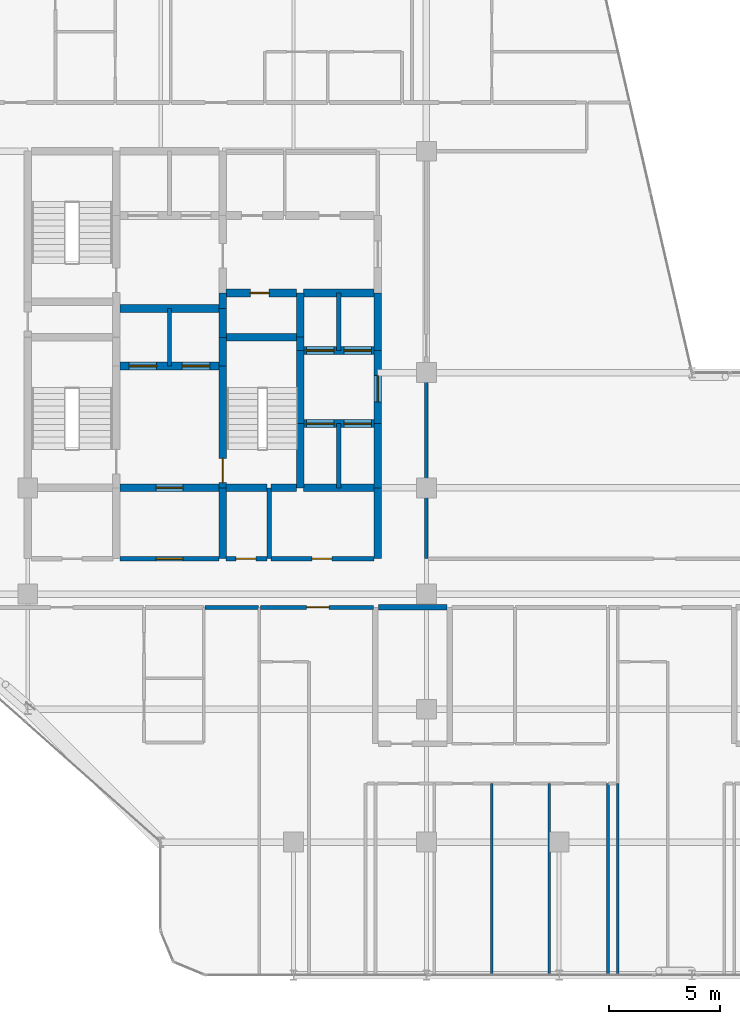
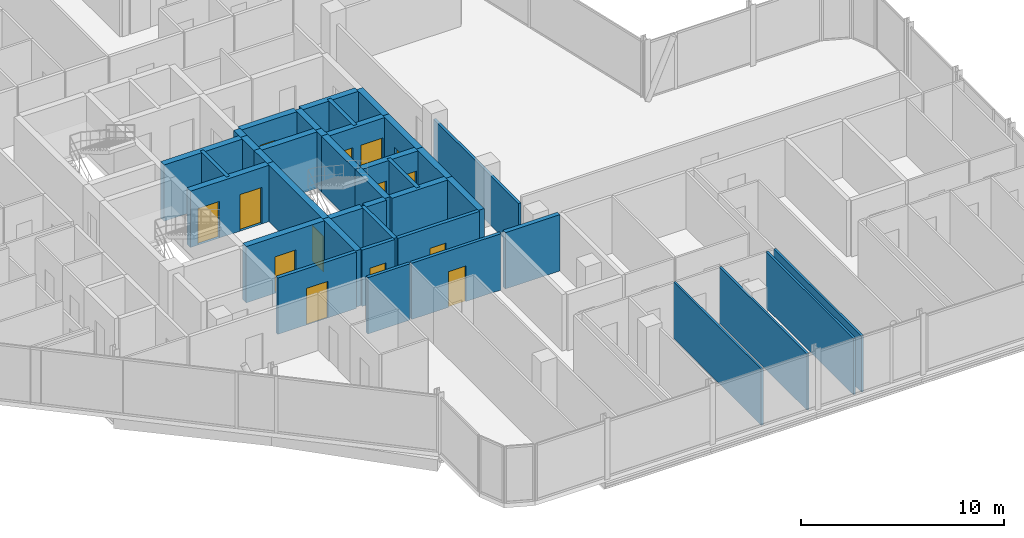
# One storey, part 25 of 29: 39 walls, 14 doors, 14 openings.
"""IFC4 building model written with IfcOpenShell, lengths in metres."""

from ifc_helpers import new_model, si_unit, direction, frame, frame_2d, origin, place, context, subcontext, project, spatial, rectangle, extrude, material, layer, layer_set, type_object, element, fill, save


model = new_model("IFC4")

# Units and contexts
model_context = context("Model", 3, precision=1e-05, world=origin(), true_north=direction((0.0, 1.0)))
body_context = subcontext(model_context, "Body", "Model", "MODEL_VIEW")
ifc_project = project(units=[si_unit("LENGTHUNIT", "METRE"), si_unit("AREAUNIT", "SQUARE_METRE"), si_unit("VOLUMEUNIT", "CUBIC_METRE"), si_unit("PLANEANGLEUNIT", "RADIAN"), si_unit("MASSUNIT", "GRAM", prefix="KILO")], contexts=[model_context])

# Site, building, storey
site_placement = place(None, origin())
site = spatial("IfcSite", under=ifc_project, at=site_placement, CompositionType="ELEMENT")
building_placement = place(site_placement, origin())
building = spatial("IfcBuilding", under=site, at=building_placement, Name="Keshet Zoharim Tower", CompositionType="ELEMENT")
storey_placement = place(building_placement, frame((0.0, 0.0, 169.10009765625)))
storey = spatial("IfcBuildingStorey", under=building, at=storey_placement, Name="L41", CompositionType="ELEMENT", Elevation=169.10009765625)

# Walls
ifc_material_1 = material(Name="Gypsum Plasterboard", Category="gypsum")
ifc_layer_1 = layer(ifc_material_1, 0.14990234375)
ifc_layer_set_1 = layer_set([ifc_layer_1], Name="Gypsum Plasterboard")
wall_type_1 = type_object("IfcWallType", Name="WL-CLIN-150", PredefinedType="STANDARD", material=ifc_layer_set_1)
wall_1_placement = place(storey_placement, frame((33.0, 19.510009765625, 0.0), z_axis=(0.0, 0.0, 1.0), x_axis=(0.0, 1.0, 0.0)))
element("IfcWall", 1, at=wall_1_placement, inside=storey, type_object=wall_type_1, Name="L41 Interior Wall 068", PredefinedType="STANDARD", context=body_context, shape_type="SweptSolid", body=[
    extrude(rectangle(XDim=8.389892578125, YDim=0.14990234375, at=frame_2d((4.19482421875, 0.0))), origin(), (0.0, 0.0, 1.0), 2.989990234375),
])
ifc_material_2 = material(Name="Concrete C60/75", Category="concrete")
ifc_layer_2 = layer(ifc_material_2, 0.35009765625)
ifc_layer_set_2 = layer_set([ifc_layer_2], Name="Concrete C60/75")
wall_type_2 = type_object("IfcWallType", Name="WL-CORE-350", PredefinedType="SHEAR", material=ifc_layer_set_2)
wall_2_placement = place(storey_placement, frame((23.800048828125, 19.5, 0.0), z_axis=(0.0, 0.0, 1.0), x_axis=(0.0, 1.0, 0.0)))
element("IfcWall", 2, at=wall_2_placement, inside=storey, type_object=wall_type_2, Name="L41 Core Shear Wall 033", PredefinedType="SHEAR", context=body_context, shape_type="SweptSolid", body=[
    extrude(rectangle(XDim=3.199951171875, YDim=0.35009765625, at=frame_2d((1.60009765625, 0.0))), origin(), (0.0, 0.0, 1.0), 3.389892578125),
])

# Wall, opening, door
wall_3_placement = place(storey_placement, frame((23.800048828125, 22.699951171875, 0.0), z_axis=(0.0, 0.0, 1.0), x_axis=(0.0, 1.0, 0.0)))
wall_3 = element("IfcWall", 3, at=wall_3_placement, inside=storey, type_object=wall_type_2, Name="L41 Core Shear Wall 034", PredefinedType="SHEAR", context=body_context, shape_type="SweptSolid", body=[
    extrude(rectangle(XDim=5.5, YDim=0.35009765625, at=frame_2d((2.75, 0.0))), origin(), (0.0, 0.0, 1.0), 3.389892578125),
])
opening_1_placement = place(wall_3_placement, frame((0.235107421875, 0.0, 0.0)))
opening_1 = element("IfcOpeningElement", 4, at=opening_1_placement, cuts=wall_3, Name="Opening D-F611", PredefinedType="OPENING", context=body_context, shape_type="SweptSolid", body=[
    extrude(rectangle(XDim=1.10009765625, YDim=2.14990234375, at=frame_2d((0.550048828125, 1.074951171875))), frame((0.0, 0.18505859375, 0.0), z_axis=(0.0, -1.0, 0.0), x_axis=(1.0, 0.0, 0.0)), (0.0, 0.0, 1.0), 0.3701171875),
])
ifc_material_3 = material(Name="Hardwood Timber", Category="wood")
door_type_1 = type_object("IfcDoorType", Name="DR-FD60-110", OperationType="NOTDEFINED", PredefinedType="DOOR", material=ifc_material_3)
door_1_placement = place(opening_1_placement, frame((1.10009765625, 0.0, 0.0), z_axis=(0.0, 0.0, 1.0), x_axis=(-1.0, 0.0, 0.0)))
door_1 = element("IfcDoor", 5, at=door_1_placement, inside=storey, type_object=door_type_1, Name="L41 Exit Stair ST-03 Fire Door", OperationType="SINGLE_SWING_LEFT", OverallHeight=2.14990234375, OverallWidth=1.10009765625, PredefinedType="DOOR", context=body_context, shape_type="SweptSolid", body=[
    extrude(rectangle(XDim=1.10009765625, YDim=2.14990234375, at=frame_2d((0.550048828125, 1.074951171875))), frame((0.0, 0.02490234375, 0.0), z_axis=(0.0, -1.0, 0.0), x_axis=(1.0, 0.0, 0.0)), (0.0, 0.0, 1.0), 0.050048828125),
])
fill(opening_1, door_1)

# Walls
for number, where, z_axis, x_axis, name in (
    (6, (23.800048828125, 28.199951171875, 0.0), (0.0, 0.0, 1.0), (0.0, 1.0, 0.0), "L41 Core Shear Wall 035"),
    (7, (23.800048828125, 29.5, 0.0), (0.0, 0.0, 1.0), (0.0, 1.0, 0.0), "L41 Core Shear Wall 036"),
):
    element("IfcWall", number, at=place(storey_placement, frame(where, z_axis=z_axis, x_axis=x_axis)), inside=storey, type_object=wall_type_2, Name=name, PredefinedType="SHEAR", context=body_context, shape_type="SweptSolid", body=[
        extrude(rectangle(XDim=1.300048828125, YDim=0.35009765625, at=frame_2d((0.64990234375, 0.0))), origin(), (0.0, 0.0, 1.0), 3.389892578125),
    ])
wall_4_placement = place(storey_placement, frame((23.800048828125, 30.800048828125, 0.0), z_axis=(0.0, 0.0, 1.0), x_axis=(0.0, 1.0, 0.0)))
element("IfcWall", 8, at=wall_4_placement, inside=storey, type_object=wall_type_2, Name="L41 Core Shear Wall 037", PredefinedType="SHEAR", context=body_context, shape_type="SweptSolid", body=[
    extrude(rectangle(XDim=0.699951171875, YDim=0.35009765625, at=frame_2d((0.35009765625, 0.0))), origin(), (0.0, 0.0, 1.0), 3.389892578125),
])
wall_5_placement = place(storey_placement, frame((27.300048828125, 22.699951171875, 0.0), z_axis=(0.0, 0.0, 1.0), x_axis=(0.0, 1.0, 0.0)))
element("IfcWall", 9, at=wall_5_placement, inside=storey, type_object=wall_type_2, Name="L41 Core Shear Wall 047", PredefinedType="SHEAR", context=body_context, shape_type="SweptSolid", body=[
    extrude(rectangle(XDim=2.900146484375, YDim=0.35009765625, at=frame_2d((1.4501953125, 0.0))), origin(), (0.0, 0.0, 1.0), 3.389892578125),
])
wall_6_placement = place(storey_placement, frame((27.300048828125, 25.60009765625, 0.0), z_axis=(0.0, 0.0, 1.0), x_axis=(0.0, 1.0, 0.0)))
element("IfcWall", 10, at=wall_6_placement, inside=storey, type_object=wall_type_2, Name="L41 Core Shear Wall 048", PredefinedType="SHEAR", context=body_context, shape_type="SweptSolid", body=[
    extrude(rectangle(XDim=3.2998046875, YDim=0.35009765625, at=frame_2d((1.64990234375, 0.0))), origin(), (0.0, 0.0, 1.0), 3.389892578125),
])
wall_7_placement = place(storey_placement, frame((27.300048828125, 28.89990234375, 0.0), z_axis=(0.0, 0.0, 1.0), x_axis=(0.0, 1.0, 0.0)))
element("IfcWall", 11, at=wall_7_placement, inside=storey, type_object=wall_type_2, Name="L41 Core Shear Wall 049", PredefinedType="SHEAR", context=body_context, shape_type="SweptSolid", body=[
    extrude(rectangle(XDim=0.60009765625, YDim=0.35009765625, at=frame_2d((0.300048828125, 0.0))), origin(), (0.0, 0.0, 1.0), 3.389892578125),
])
wall_8_placement = place(storey_placement, frame((27.300048828125, 29.5, 0.0), z_axis=(0.0, 0.0, 1.0), x_axis=(0.0, 1.0, 0.0)))
element("IfcWall", 12, at=wall_8_placement, inside=storey, type_object=wall_type_2, Name="L41 Core Shear Wall 050", PredefinedType="SHEAR", context=body_context, shape_type="SweptSolid", body=[
    extrude(rectangle(XDim=2.0, YDim=0.35009765625, at=frame_2d((1.0, 0.0))), origin(), (0.0, 0.0, 1.0), 3.389892578125),
])
wall_9_placement = place(storey_placement, frame((30.800048828125, 19.5, 0.0), z_axis=(0.0, 0.0, 1.0), x_axis=(0.0, 1.0, 0.0)))
element("IfcWall", 13, at=wall_9_placement, inside=storey, type_object=wall_type_2, Name="L41 Core Shear Wall 059", PredefinedType="SHEAR", context=body_context, shape_type="SweptSolid", body=[
    extrude(rectangle(XDim=3.199951171875, YDim=0.35009765625, at=frame_2d((1.60009765625, 0.0))), origin(), (0.0, 0.0, 1.0), 3.389892578125),
])
wall_10_placement = place(storey_placement, frame((30.800048828125, 22.699951171875, 0.0), z_axis=(0.0, 0.0, 1.0), x_axis=(0.0, 1.0, 0.0)))
element("IfcWall", 14, at=wall_10_placement, inside=storey, type_object=wall_type_2, Name="L41 Core Shear Wall 060", PredefinedType="SHEAR", context=body_context, shape_type="SweptSolid", body=[
    extrude(rectangle(XDim=2.900146484375, YDim=0.35009765625, at=frame_2d((1.4501953125, 0.0))), origin(), (0.0, 0.0, 1.0), 3.389892578125),
])

# Wall, opening, door
wall_11_placement = place(storey_placement, frame((30.800048828125, 25.60009765625, 0.0), z_axis=(0.0, 0.0, 1.0), x_axis=(0.0, 1.0, 0.0)))
wall_11 = element("IfcWall", 15, at=wall_11_placement, inside=storey, type_object=wall_type_2, Name="L41 Core Shear Wall 061", PredefinedType="SHEAR", context=body_context, shape_type="SweptSolid", body=[
    extrude(rectangle(XDim=3.2998046875, YDim=0.35009765625, at=frame_2d((1.64990234375, 0.0))), origin(), (0.0, 0.0, 1.0), 3.389892578125),
])
opening_2_placement = place(wall_11_placement, frame((0.97802734375, 0.0, 0.0)))
opening_2 = element("IfcOpeningElement", 16, at=opening_2_placement, cuts=wall_11, Name="Opening D-F612", PredefinedType="OPENING", context=body_context, shape_type="SweptSolid", body=[
    extrude(rectangle(XDim=1.199951171875, YDim=2.199951171875, at=frame_2d((0.60009765625, 1.10009765625))), frame((0.0, 0.18505859375, 0.0), z_axis=(0.0, -1.0, 0.0), x_axis=(1.0, 0.0, 0.0)), (0.0, 0.0, 1.0), 0.3701171875),
])
door_type_2 = type_object("IfcDoorType", Name="DR-FD60-120", OperationType="NOTDEFINED", PredefinedType="DOOR", material=ifc_material_3)
door_2_placement = place(opening_2_placement, origin())
door_2 = element("IfcDoor", 17, at=door_2_placement, inside=storey, type_object=door_type_2, Name="L41 East Lift Lobby Fire Door", OperationType="SINGLE_SWING_LEFT", OverallHeight=2.199951171875, OverallWidth=1.199951171875, PredefinedType="DOOR", context=body_context, shape_type="SweptSolid", body=[
    extrude(rectangle(XDim=1.199951171875, YDim=2.199951171875, at=frame_2d((0.60009765625, 1.10009765625))), frame((0.0, 0.02490234375, 0.0), z_axis=(0.0, -1.0, 0.0), x_axis=(1.0, 0.0, 0.0)), (0.0, 0.0, 1.0), 0.050048828125),
])
fill(opening_2, door_2)

# Wall
wall_12_placement = place(storey_placement, frame((30.800048828125, 28.89990234375, 0.0), z_axis=(0.0, 0.0, 1.0), x_axis=(0.0, 1.0, 0.0)))
element("IfcWall", 18, at=wall_12_placement, inside=storey, type_object=wall_type_2, Name="L41 Core Shear Wall 062", PredefinedType="SHEAR", context=body_context, shape_type="SweptSolid", body=[
    extrude(rectangle(XDim=2.60009765625, YDim=0.35009765625, at=frame_2d((1.300048828125, 0.0))), origin(), (0.0, 0.0, 1.0), 3.389892578125),
])

# Wall, opening, door
wall_13_placement = place(storey_placement, frame((19.159912109375, 22.699951171875, 0.0), z_axis=(0.0, 0.0, 1.0), x_axis=(1.0, 0.0, 0.0)))
wall_13 = element("IfcWall", 19, at=wall_13_placement, inside=storey, type_object=wall_type_2, Name="L41 Core Shear Wall 132", PredefinedType="SHEAR", context=body_context, shape_type="SweptSolid", body=[
    extrude(rectangle(XDim=4.47998046875, YDim=0.35009765625, at=frame_2d((2.239990234375, 0.0))), origin(), (0.0, 0.0, 1.0), 3.389892578125),
])
opening_3_placement = place(wall_13_placement, frame((1.639892578125, 0.0, 0.0)))
opening_3 = element("IfcOpeningElement", 20, at=opening_3_placement, cuts=wall_13, Name="Opening D-F612", PredefinedType="OPENING", context=body_context, shape_type="SweptSolid", body=[
    extrude(rectangle(XDim=1.199951171875, YDim=2.199951171875, at=frame_2d((0.60009765625, 1.10009765625))), frame((0.0, 0.18505859375, 0.0), z_axis=(0.0, -1.0, 0.0), x_axis=(1.0, 0.0, 0.0)), (0.0, 0.0, 1.0), 0.3701171875),
])
door_3_placement = place(opening_3_placement, origin())
door_3 = element("IfcDoor", 21, at=door_3_placement, inside=storey, type_object=door_type_2, Name="L41 South Core Lobby Fire Door", OperationType="SINGLE_SWING_RIGHT", OverallHeight=2.199951171875, OverallWidth=1.199951171875, PredefinedType="DOOR", context=body_context, shape_type="SweptSolid", body=[
    extrude(rectangle(XDim=1.199951171875, YDim=2.199951171875, at=frame_2d((0.60009765625, 1.10009765625))), frame((0.0, 0.02490234375, 0.0), z_axis=(0.0, -1.0, 0.0), x_axis=(1.0, 0.0, 0.0)), (0.0, 0.0, 1.0), 0.050048828125),
])
fill(opening_3, door_3)

# Walls
wall_14_placement = place(storey_placement, frame((23.9599609375, 22.699951171875, 0.0), z_axis=(0.0, 0.0, 1.0), x_axis=(1.0, 0.0, 0.0)))
element("IfcWall", 22, at=wall_14_placement, inside=storey, type_object=wall_type_2, Name="L41 Core Shear Wall 133", PredefinedType="SHEAR", context=body_context, shape_type="SweptSolid", body=[
    extrude(rectangle(XDim=1.85498046875, YDim=0.35009765625, at=frame_2d((0.927490234375, 0.0))), origin(), (0.0, 0.0, 1.0), 3.389892578125),
])
wall_15_placement = place(storey_placement, frame((25.985107421875, 22.699951171875, 0.0), z_axis=(0.0, 0.0, 1.0), x_axis=(1.0, 0.0, 0.0)))
element("IfcWall", 23, at=wall_15_placement, inside=storey, type_object=wall_type_2, Name="L41 Core Shear Wall 134", PredefinedType="SHEAR", context=body_context, shape_type="SweptSolid", body=[
    extrude(rectangle(XDim=1.15478515625, YDim=0.35009765625, at=frame_2d((0.577392578125, 0.0))), origin(), (0.0, 0.0, 1.0), 3.389892578125),
])
wall_16_placement = place(storey_placement, frame((27.4599609375, 22.699951171875, 0.0), z_axis=(0.0, 0.0, 1.0), x_axis=(1.0, 0.0, 0.0)))
element("IfcWall", 24, at=wall_16_placement, inside=storey, type_object=wall_type_2, Name="L41 Core Shear Wall 135", PredefinedType="SHEAR", context=body_context, shape_type="SweptSolid", body=[
    extrude(rectangle(XDim=3.179931640625, YDim=0.35009765625, at=frame_2d((1.58984375, 0.0))), origin(), (0.0, 0.0, 1.0), 3.389892578125),
])

# Wall, openings, doors
wall_17_placement = place(storey_placement, frame((27.4599609375, 25.60009765625, 0.0), z_axis=(0.0, 0.0, 1.0), x_axis=(1.0, 0.0, 0.0)))
wall_17 = element("IfcWall", 25, at=wall_17_placement, inside=storey, type_object=wall_type_2, Name="L41 Core Shear Wall 138", PredefinedType="SHEAR", context=body_context, shape_type="SweptSolid", body=[
    extrude(rectangle(XDim=3.179931640625, YDim=0.35009765625, at=frame_2d((1.58984375, 0.0))), origin(), (0.0, 0.0, 1.0), 3.389892578125),
])
opening_4_placement = place(wall_17_placement, frame((0.1201171875, 0.0, 0.0)))
opening_4 = element("IfcOpeningElement", 26, at=opening_4_placement, cuts=wall_17, Name="Opening LD-01", PredefinedType="OPENING", context=body_context, shape_type="SweptSolid", body=[
    extrude(rectangle(XDim=1.25, YDim=2.199951171875, at=frame_2d((0.625, 1.10009765625))), frame((0.0, 0.18505859375, 0.0), z_axis=(0.0, -1.0, 0.0), x_axis=(1.0, 0.0, 0.0)), (0.0, 0.0, 1.0), 0.3701171875),
])
opening_5_placement = place(wall_17_placement, frame((1.81005859375, 0.0, 0.0)))
opening_5 = element("IfcOpeningElement", 27, at=opening_5_placement, cuts=wall_17, Name="Opening LD-01", PredefinedType="OPENING", context=body_context, shape_type="SweptSolid", body=[
    extrude(rectangle(XDim=1.25, YDim=2.199951171875, at=frame_2d((0.625, 1.10009765625))), frame((0.0, 0.18505859375, 0.0), z_axis=(0.0, -1.0, 0.0), x_axis=(1.0, 0.0, 0.0)), (0.0, 0.0, 1.0), 0.3701171875),
])
ifc_material_4 = material(Name="Steel S355", Category="steel")
door_type_3 = type_object("IfcDoorType", Name="DR-LD01-125", OperationType="DOUBLE_DOOR_SLIDING", PredefinedType="DOOR", material=ifc_material_4)
door_4_placement = place(opening_4_placement, origin())
door_4 = element("IfcDoor", 28, at=door_4_placement, inside=storey, type_object=door_type_3, Name="L41 Passenger Lift Landing Door LF-07", OperationType="DOUBLE_DOOR_SLIDING", OverallHeight=2.199951171875, OverallWidth=1.25, PredefinedType="DOOR", context=body_context, shape_type="SweptSolid", body=[
    extrude(rectangle(XDim=1.25, YDim=2.199951171875, at=frame_2d((0.625, 1.10009765625))), frame((0.0, 0.02490234375, 0.0), z_axis=(0.0, -1.0, 0.0), x_axis=(1.0, 0.0, 0.0)), (0.0, 0.0, 1.0), 0.050048828125),
])
fill(opening_4, door_4)
door_5_placement = place(opening_5_placement, origin())
door_5 = element("IfcDoor", 29, at=door_5_placement, inside=storey, type_object=door_type_3, Name="L41 Passenger Lift Landing Door LF-08", OperationType="DOUBLE_DOOR_SLIDING", OverallHeight=2.199951171875, OverallWidth=1.25, PredefinedType="DOOR", context=body_context, shape_type="SweptSolid", body=[
    extrude(rectangle(XDim=1.25, YDim=2.199951171875, at=frame_2d((0.625, 1.10009765625))), frame((0.0, 0.02490234375, 0.0), z_axis=(0.0, -1.0, 0.0), x_axis=(1.0, 0.0, 0.0)), (0.0, 0.0, 1.0), 0.050048828125),
])
fill(opening_5, door_5)

wall_18_placement = place(storey_placement, frame((19.159912109375, 28.199951171875, 0.0), z_axis=(0.0, 0.0, 1.0), x_axis=(1.0, 0.0, 0.0)))
wall_18 = element("IfcWall", 30, at=wall_18_placement, inside=storey, type_object=wall_type_2, Name="L41 Core Shear Wall 141", PredefinedType="SHEAR", context=body_context, shape_type="SweptSolid", body=[
    extrude(rectangle(XDim=4.47998046875, YDim=0.35009765625, at=frame_2d((2.239990234375, 0.0))), origin(), (0.0, 0.0, 1.0), 3.389892578125),
])
opening_6_placement = place(wall_18_placement, frame((0.4150390625, 0.0, 0.0)))
opening_6 = element("IfcOpeningElement", 31, at=opening_6_placement, cuts=wall_18, Name="Opening LD-01", PredefinedType="OPENING", context=body_context, shape_type="SweptSolid", body=[
    extrude(rectangle(XDim=1.25, YDim=2.199951171875, at=frame_2d((0.625, 1.10009765625))), frame((0.0, 0.18505859375, 0.0), z_axis=(0.0, -1.0, 0.0), x_axis=(1.0, 0.0, 0.0)), (0.0, 0.0, 1.0), 0.3701171875),
])
opening_7_placement = place(wall_18_placement, frame((2.81494140625, 0.0, 0.0)))
opening_7 = element("IfcOpeningElement", 32, at=opening_7_placement, cuts=wall_18, Name="Opening LD-01", PredefinedType="OPENING", context=body_context, shape_type="SweptSolid", body=[
    extrude(rectangle(XDim=1.25, YDim=2.199951171875, at=frame_2d((0.625, 1.10009765625))), frame((0.0, 0.18505859375, 0.0), z_axis=(0.0, -1.0, 0.0), x_axis=(1.0, 0.0, 0.0)), (0.0, 0.0, 1.0), 0.3701171875),
])
door_6_placement = place(opening_6_placement, origin())
door_6 = element("IfcDoor", 33, at=door_6_placement, inside=storey, type_object=door_type_3, Name="L41 Passenger Lift Landing Door LF-09", OperationType="DOUBLE_DOOR_SLIDING", OverallHeight=2.199951171875, OverallWidth=1.25, PredefinedType="DOOR", context=body_context, shape_type="SweptSolid", body=[
    extrude(rectangle(XDim=1.25, YDim=2.199951171875, at=frame_2d((0.625, 1.10009765625))), frame((0.0, 0.02490234375, 0.0), z_axis=(0.0, -1.0, 0.0), x_axis=(1.0, 0.0, 0.0)), (0.0, 0.0, 1.0), 0.050048828125),
])
fill(opening_6, door_6)
door_7_placement = place(opening_7_placement, origin())
door_7 = element("IfcDoor", 34, at=door_7_placement, inside=storey, type_object=door_type_3, Name="L41 Passenger Lift Landing Door LF-10", OperationType="DOUBLE_DOOR_SLIDING", OverallHeight=2.199951171875, OverallWidth=1.25, PredefinedType="DOOR", context=body_context, shape_type="SweptSolid", body=[
    extrude(rectangle(XDim=1.25, YDim=2.199951171875, at=frame_2d((0.625, 1.10009765625))), frame((0.0, 0.02490234375, 0.0), z_axis=(0.0, -1.0, 0.0), x_axis=(1.0, 0.0, 0.0)), (0.0, 0.0, 1.0), 0.050048828125),
])
fill(opening_7, door_7)

wall_19_placement = place(storey_placement, frame((27.4599609375, 28.89990234375, 0.0), z_axis=(0.0, 0.0, 1.0), x_axis=(1.0, 0.0, 0.0)))
wall_19 = element("IfcWall", 35, at=wall_19_placement, inside=storey, type_object=wall_type_2, Name="L41 Core Shear Wall 146", PredefinedType="SHEAR", context=body_context, shape_type="SweptSolid", body=[
    extrude(rectangle(XDim=3.179931640625, YDim=0.35009765625, at=frame_2d((1.58984375, 0.0))), origin(), (0.0, 0.0, 1.0), 3.389892578125),
])
opening_8_placement = place(wall_19_placement, frame((0.1201171875, 0.0, 0.0)))
opening_8 = element("IfcOpeningElement", 36, at=opening_8_placement, cuts=wall_19, Name="Opening LD-01", PredefinedType="OPENING", context=body_context, shape_type="SweptSolid", body=[
    extrude(rectangle(XDim=1.25, YDim=2.199951171875, at=frame_2d((0.625, 1.10009765625))), frame((0.0, 0.18505859375, 0.0), z_axis=(0.0, -1.0, 0.0), x_axis=(1.0, 0.0, 0.0)), (0.0, 0.0, 1.0), 0.3701171875),
])
opening_9_placement = place(wall_19_placement, frame((1.81005859375, 0.0, 0.0)))
opening_9 = element("IfcOpeningElement", 37, at=opening_9_placement, cuts=wall_19, Name="Opening LD-01", PredefinedType="OPENING", context=body_context, shape_type="SweptSolid", body=[
    extrude(rectangle(XDim=1.25, YDim=2.199951171875, at=frame_2d((0.625, 1.10009765625))), frame((0.0, 0.18505859375, 0.0), z_axis=(0.0, -1.0, 0.0), x_axis=(1.0, 0.0, 0.0)), (0.0, 0.0, 1.0), 0.3701171875),
])
door_8_placement = place(opening_8_placement, origin())
door_8 = element("IfcDoor", 38, at=door_8_placement, inside=storey, type_object=door_type_3, Name="L41 Passenger Lift Landing Door LF-05", OperationType="DOUBLE_DOOR_SLIDING", OverallHeight=2.199951171875, OverallWidth=1.25, PredefinedType="DOOR", context=body_context, shape_type="SweptSolid", body=[
    extrude(rectangle(XDim=1.25, YDim=2.199951171875, at=frame_2d((0.625, 1.10009765625))), frame((0.0, 0.02490234375, 0.0), z_axis=(0.0, -1.0, 0.0), x_axis=(1.0, 0.0, 0.0)), (0.0, 0.0, 1.0), 0.050048828125),
])
fill(opening_8, door_8)
door_9_placement = place(opening_9_placement, origin())
door_9 = element("IfcDoor", 39, at=door_9_placement, inside=storey, type_object=door_type_3, Name="L41 Passenger Lift Landing Door LF-06", OperationType="DOUBLE_DOOR_SLIDING", OverallHeight=2.199951171875, OverallWidth=1.25, PredefinedType="DOOR", context=body_context, shape_type="SweptSolid", body=[
    extrude(rectangle(XDim=1.25, YDim=2.199951171875, at=frame_2d((0.625, 1.10009765625))), frame((0.0, 0.02490234375, 0.0), z_axis=(0.0, -1.0, 0.0), x_axis=(1.0, 0.0, 0.0)), (0.0, 0.0, 1.0), 0.050048828125),
])
fill(opening_9, door_9)

# Walls
wall_20_placement = place(storey_placement, frame((23.9599609375, 29.5, 0.0), z_axis=(0.0, 0.0, 1.0), x_axis=(1.0, 0.0, 0.0)))
element("IfcWall", 40, at=wall_20_placement, inside=storey, type_object=wall_type_2, Name="L41 Core Shear Wall 148", PredefinedType="SHEAR", context=body_context, shape_type="SweptSolid", body=[
    extrude(rectangle(XDim=3.179931640625, YDim=0.35009765625, at=frame_2d((1.58984375, 0.0))), origin(), (0.0, 0.0, 1.0), 3.389892578125),
])
wall_21_placement = place(storey_placement, frame((19.159912109375, 30.800048828125, 0.0), z_axis=(0.0, 0.0, 1.0), x_axis=(1.0, 0.0, 0.0)))
element("IfcWall", 41, at=wall_21_placement, inside=storey, type_object=wall_type_2, Name="L41 Core Shear Wall 149", PredefinedType="SHEAR", context=body_context, shape_type="SweptSolid", body=[
    extrude(rectangle(XDim=4.47998046875, YDim=0.35009765625, at=frame_2d((2.239990234375, 0.0))), origin(), (0.0, 0.0, 1.0), 3.389892578125),
])

# Wall, opening, door
wall_22_placement = place(storey_placement, frame((23.9599609375, 31.5, 0.0), z_axis=(0.0, 0.0, 1.0), x_axis=(1.0, 0.0, 0.0)))
wall_22 = element("IfcWall", 42, at=wall_22_placement, inside=storey, type_object=wall_type_2, Name="L41 Core Shear Wall 153", PredefinedType="SHEAR", context=body_context, shape_type="SweptSolid", body=[
    extrude(rectangle(XDim=3.179931640625, YDim=0.35009765625, at=frame_2d((1.58984375, 0.0))), origin(), (0.0, 0.0, 1.0), 3.389892578125),
])
opening_10_placement = place(wall_22_placement, frame((1.093994140625, 0.0, 0.0)))
opening_10 = element("IfcOpeningElement", 43, at=opening_10_placement, cuts=wall_22, Name="Opening D-RS85", PredefinedType="OPENING", context=body_context, shape_type="SweptSolid", body=[
    extrude(rectangle(XDim=0.85009765625, YDim=2.10009765625, at=frame_2d((0.425048828125, 1.050048828125))), frame((0.0, 0.18505859375, 0.0), z_axis=(0.0, -1.0, 0.0), x_axis=(1.0, 0.0, 0.0)), (0.0, 0.0, 1.0), 0.3701171875),
])
door_type_4 = type_object("IfcDoorType", Name="DR-RIS-085", OperationType="NOTDEFINED", PredefinedType="DOOR", material=ifc_material_3)
door_10_placement = place(opening_10_placement, origin())
door_10 = element("IfcDoor", 44, at=door_10_placement, inside=storey, type_object=door_type_4, Name="L41 Telecom Riser Access Cupboard Door", OperationType="SINGLE_SWING_LEFT", OverallHeight=2.10009765625, OverallWidth=0.85009765625, PredefinedType="DOOR", context=body_context, shape_type="SweptSolid", body=[
    extrude(rectangle(XDim=0.85009765625, YDim=2.10009765625, at=frame_2d((0.425048828125, 1.050048828125))), frame((0.0, 0.02490234375, 0.0), z_axis=(0.0, -1.0, 0.0), x_axis=(1.0, 0.0, 0.0)), (0.0, 0.0, 1.0), 0.050048828125),
])
fill(opening_10, door_10)

# Walls
wall_23_placement = place(storey_placement, frame((27.4599609375, 31.5, 0.0), z_axis=(0.0, 0.0, 1.0), x_axis=(1.0, 0.0, 0.0)))
element("IfcWall", 45, at=wall_23_placement, inside=storey, type_object=wall_type_2, Name="L41 Core Shear Wall 154", PredefinedType="SHEAR", context=body_context, shape_type="SweptSolid", body=[
    extrude(rectangle(XDim=3.179931640625, YDim=0.35009765625, at=frame_2d((1.58984375, 0.0))), origin(), (0.0, 0.0, 1.0), 3.389892578125),
])
ifc_layer_3 = layer(ifc_material_1, 0.179931640625)
ifc_layer_set_3 = layer_set([ifc_layer_3], Name="Gypsum Plasterboard")
wall_type_3 = type_object("IfcWallType", Name="WL-CORR-180", PredefinedType="STANDARD", material=ifc_layer_set_3)
wall_24_placement = place(storey_placement, frame((23.014892578125, 17.300048828125, 0.0), z_axis=(0.0, 0.0, 1.0), x_axis=(1.0, 0.0, 0.0)))
element("IfcWall", 46, at=wall_24_placement, inside=storey, type_object=wall_type_3, Name="L41 Interior Wall 112", PredefinedType="STANDARD", context=body_context, shape_type="SweptSolid", body=[
    extrude(rectangle(XDim=2.41015625, YDim=0.179931640625, at=frame_2d((1.205078125, 0.0))), origin(), (0.0, 0.0, 1.0), 3.389892578125),
])

# Wall, opening, door
wall_25_placement = place(storey_placement, frame((25.514892578125, 17.300048828125, 0.0), z_axis=(0.0, 0.0, 1.0), x_axis=(1.0, 0.0, 0.0)))
wall_25 = element("IfcWall", 47, at=wall_25_placement, inside=storey, type_object=wall_type_3, Name="L41 Interior Wall 113", PredefinedType="STANDARD", context=body_context, shape_type="SweptSolid", body=[
    extrude(rectangle(XDim=5.09521484375, YDim=0.179931640625, at=frame_2d((2.547607421875, 0.0))), origin(), (0.0, 0.0, 1.0), 3.389892578125),
])
opening_11_placement = place(wall_25_placement, frame((2.080078125, 0.0, 0.0)))
opening_11 = element("IfcOpeningElement", 48, at=opening_11_placement, cuts=wall_25, Name="Opening D-F310", PredefinedType="OPENING", context=body_context, shape_type="SweptSolid", body=[
    extrude(rectangle(XDim=1.0, YDim=2.14990234375, at=frame_2d((0.5, 1.074951171875))), frame((0.0, 0.10009765625, 0.0), z_axis=(0.0, -1.0, 0.0), x_axis=(1.0, 0.0, 0.0)), (0.0, 0.0, 1.0), 0.199951171875),
])
door_type_5 = type_object("IfcDoorType", Name="DR-FD30-100", OperationType="NOTDEFINED", PredefinedType="DOOR", material=ifc_material_3)
door_11_placement = place(opening_11_placement, origin())
door_11 = element("IfcDoor", 49, at=door_11_placement, inside=storey, type_object=door_type_5, Name="Apartment 4102 Entrance Door", OperationType="SINGLE_SWING_LEFT", OverallHeight=2.14990234375, OverallWidth=1.0, PredefinedType="DOOR", context=body_context, shape_type="SweptSolid", body=[
    extrude(rectangle(XDim=1.0, YDim=2.14990234375, at=frame_2d((0.5, 1.074951171875))), frame((0.0, 0.02490234375, 0.0), z_axis=(0.0, -1.0, 0.0), x_axis=(1.0, 0.0, 0.0)), (0.0, 0.0, 1.0), 0.050048828125),
])
fill(opening_11, door_11)

# Walls
ifc_material_5 = material(Name="Concrete C50/60", Category="concrete")
ifc_layer_4 = layer(ifc_material_5, 0.199951171875)
ifc_layer_set_4 = layer_set([ifc_layer_4], Name="Concrete C50/60")
wall_type_4 = type_object("IfcWallType", Name="WL-FIRE-200", PredefinedType="STANDARD", material=ifc_layer_set_4)
wall_26_placement = place(storey_placement, frame((21.39990234375, 28.199951171875, 0.0), z_axis=(0.0, 0.0, 1.0), x_axis=(0.0, 1.0, 0.0)))
element("IfcWall", 50, at=wall_26_placement, inside=storey, type_object=wall_type_4, Name="L41 Interior Wall 028", PredefinedType="STANDARD", context=body_context, shape_type="SweptSolid", body=[
    extrude(rectangle(XDim=2.60009765625, YDim=0.199951171875, at=frame_2d((1.300048828125, 0.0))), origin(), (0.0, 0.0, 1.0), 3.389892578125),
])
wall_27_placement = place(storey_placement, frame((25.89990234375, 19.5, 0.0), z_axis=(0.0, 0.0, 1.0), x_axis=(0.0, 1.0, 0.0)))
element("IfcWall", 51, at=wall_27_placement, inside=storey, type_object=wall_type_4, Name="L41 Interior Wall 045", PredefinedType="STANDARD", context=body_context, shape_type="SweptSolid", body=[
    extrude(rectangle(XDim=3.199951171875, YDim=0.199951171875, at=frame_2d((1.60009765625, 0.0))), origin(), (0.0, 0.0, 1.0), 3.389892578125),
])
wall_28_placement = place(storey_placement, frame((29.050048828125, 22.699951171875, 0.0), z_axis=(0.0, 0.0, 1.0), x_axis=(0.0, 1.0, 0.0)))
element("IfcWall", 52, at=wall_28_placement, inside=storey, type_object=wall_type_4, Name="L41 Interior Wall 054", PredefinedType="STANDARD", context=body_context, shape_type="SweptSolid", body=[
    extrude(rectangle(XDim=2.900146484375, YDim=0.199951171875, at=frame_2d((1.4501953125, 0.0))), origin(), (0.0, 0.0, 1.0), 3.389892578125),
])
wall_29_placement = place(storey_placement, frame((29.050048828125, 28.89990234375, 0.0), z_axis=(0.0, 0.0, 1.0), x_axis=(0.0, 1.0, 0.0)))
element("IfcWall", 53, at=wall_29_placement, inside=storey, type_object=wall_type_4, Name="L41 Interior Wall 055", PredefinedType="STANDARD", context=body_context, shape_type="SweptSolid", body=[
    extrude(rectangle(XDim=2.60009765625, YDim=0.199951171875, at=frame_2d((1.300048828125, 0.0))), origin(), (0.0, 0.0, 1.0), 3.389892578125),
])

# Wall, opening, door
wall_30_placement = place(storey_placement, frame((19.159912109375, 19.5, 0.0), z_axis=(0.0, 0.0, 1.0), x_axis=(1.0, 0.0, 0.0)))
wall_30 = element("IfcWall", 54, at=wall_30_placement, inside=storey, type_object=wall_type_4, Name="L41 Interior Wall 124", PredefinedType="STANDARD", context=body_context, shape_type="SweptSolid", body=[
    extrude(rectangle(XDim=4.47998046875, YDim=0.199951171875, at=frame_2d((2.239990234375, 0.0))), origin(), (0.0, 0.0, 1.0), 3.389892578125),
])
opening_12_placement = place(wall_30_placement, frame((1.639892578125, 0.0, 0.0)))
opening_12 = element("IfcOpeningElement", 55, at=opening_12_placement, cuts=wall_30, Name="Opening D-F612", PredefinedType="OPENING", context=body_context, shape_type="SweptSolid", body=[
    extrude(rectangle(XDim=1.199951171875, YDim=2.199951171875, at=frame_2d((0.60009765625, 1.10009765625))), frame((0.0, 0.10986328125, 0.0), z_axis=(0.0, -1.0, 0.0), x_axis=(1.0, 0.0, 0.0)), (0.0, 0.0, 1.0), 0.219970703125),
])
door_12_placement = place(opening_12_placement, origin())
door_12 = element("IfcDoor", 56, at=door_12_placement, inside=storey, type_object=door_type_2, Name="L41 South Vestibule Corridor Door", OperationType="SINGLE_SWING_RIGHT", OverallHeight=2.199951171875, OverallWidth=1.199951171875, PredefinedType="DOOR", context=body_context, shape_type="SweptSolid", body=[
    extrude(rectangle(XDim=1.199951171875, YDim=2.199951171875, at=frame_2d((0.60009765625, 1.10009765625))), frame((0.0, 0.02490234375, 0.0), z_axis=(0.0, -1.0, 0.0), x_axis=(1.0, 0.0, 0.0)), (0.0, 0.0, 1.0), 0.050048828125),
])
fill(opening_12, door_12)

wall_31_placement = place(storey_placement, frame((23.9599609375, 19.5, 0.0), z_axis=(0.0, 0.0, 1.0), x_axis=(1.0, 0.0, 0.0)))
wall_31 = element("IfcWall", 57, at=wall_31_placement, inside=storey, type_object=wall_type_4, Name="L41 Interior Wall 125", PredefinedType="STANDARD", context=body_context, shape_type="SweptSolid", body=[
    extrude(rectangle(XDim=1.85498046875, YDim=0.199951171875, at=frame_2d((0.927490234375, 0.0))), origin(), (0.0, 0.0, 1.0), 3.389892578125),
])
opening_13_placement = place(wall_31_placement, frame((0.43994140625, 0.0, 0.0)))
opening_13 = element("IfcOpeningElement", 58, at=opening_13_placement, cuts=wall_31, Name="Opening D-F690", PredefinedType="OPENING", context=body_context, shape_type="SweptSolid", body=[
    extrude(rectangle(XDim=0.89990234375, YDim=2.14990234375, at=frame_2d((0.449951171875, 1.074951171875))), frame((0.0, 0.10986328125, 0.0), z_axis=(0.0, -1.0, 0.0), x_axis=(1.0, 0.0, 0.0)), (0.0, 0.0, 1.0), 0.219970703125),
])
door_type_6 = type_object("IfcDoorType", Name="DR-FD60-090", OperationType="NOTDEFINED", PredefinedType="DOOR", material=ifc_material_3)
door_13_placement = place(opening_13_placement, origin())
door_13 = element("IfcDoor", 59, at=door_13_placement, inside=storey, type_object=door_type_6, Name="L41 Cleaners Store Door", OperationType="SINGLE_SWING_LEFT", OverallHeight=2.14990234375, OverallWidth=0.89990234375, PredefinedType="DOOR", context=body_context, shape_type="SweptSolid", body=[
    extrude(rectangle(XDim=0.89990234375, YDim=2.14990234375, at=frame_2d((0.449951171875, 1.074951171875))), frame((0.0, 0.02490234375, 0.0), z_axis=(0.0, -1.0, 0.0), x_axis=(1.0, 0.0, 0.0)), (0.0, 0.0, 1.0), 0.050048828125),
])
fill(opening_13, door_13)

wall_32_placement = place(storey_placement, frame((25.985107421875, 19.5, 0.0), z_axis=(0.0, 0.0, 1.0), x_axis=(1.0, 0.0, 0.0)))
wall_32 = element("IfcWall", 60, at=wall_32_placement, inside=storey, type_object=wall_type_4, Name="L41 Interior Wall 126", PredefinedType="STANDARD", context=body_context, shape_type="SweptSolid", body=[
    extrude(rectangle(XDim=4.65478515625, YDim=0.199951171875, at=frame_2d((2.327392578125, 0.0))), origin(), (0.0, 0.0, 1.0), 3.389892578125),
])
opening_14_placement = place(wall_32_placement, frame((1.844970703125, 0.0, 0.0)))
opening_14 = element("IfcOpeningElement", 61, at=opening_14_placement, cuts=wall_32, Name="Opening D-F690", PredefinedType="OPENING", context=body_context, shape_type="SweptSolid", body=[
    extrude(rectangle(XDim=0.89990234375, YDim=2.14990234375, at=frame_2d((0.449951171875, 1.074951171875))), frame((0.0, 0.10986328125, 0.0), z_axis=(0.0, -1.0, 0.0), x_axis=(1.0, 0.0, 0.0)), (0.0, 0.0, 1.0), 0.219970703125),
])
door_14_placement = place(opening_14_placement, origin())
door_14 = element("IfcDoor", 62, at=door_14_placement, inside=storey, type_object=door_type_6, Name="L41 Meter Room Door", OperationType="SINGLE_SWING_RIGHT", OverallHeight=2.14990234375, OverallWidth=0.89990234375, PredefinedType="DOOR", context=body_context, shape_type="SweptSolid", body=[
    extrude(rectangle(XDim=0.89990234375, YDim=2.14990234375, at=frame_2d((0.449951171875, 1.074951171875))), frame((0.0, 0.02490234375, 0.0), z_axis=(0.0, -1.0, 0.0), x_axis=(1.0, 0.0, 0.0)), (0.0, 0.0, 1.0), 0.050048828125),
])
fill(opening_14, door_14)

# Walls
ifc_layer_5 = layer(ifc_material_5, 0.25)
ifc_layer_set_5 = layer_set([ifc_layer_5], Name="Concrete C50/60")
wall_type_5 = type_object("IfcWallType", Name="WL-MAMAD-250", PredefinedType="STANDARD", material=ifc_layer_set_5)
wall_33_placement = place(storey_placement, frame((30.830078125, 17.300048828125, 0.0), z_axis=(0.0, 0.0, 1.0), x_axis=(1.0, 0.0, 0.0)))
element("IfcWall", 63, at=wall_33_placement, inside=storey, type_object=wall_type_5, Name="L41 Interior Wall 114", PredefinedType="STANDARD", context=body_context, shape_type="SweptSolid", body=[
    extrude(rectangle(XDim=3.10595703125, YDim=0.25, at=frame_2d((1.552978515625, 0.0))), origin(), (0.0, 0.0, 1.0), 3.389892578125),
])
ifc_layer_6 = layer(ifc_material_1, 0.1201171875)
ifc_layer_set_6 = layer_set([ifc_layer_6], Name="Gypsum Plasterboard")
wall_type_6 = type_object("IfcWallType", Name="WL-PART-120", PredefinedType="PARTITIONING", material=ifc_layer_set_6)
for number, where, z_axis, x_axis, name in (
    (64, (35.949951171875, 0.7099609375, 0.0), (0.0, 0.0, 1.0), (0.0, 1.0, 0.0), "L41 Interior Wall 071"),
    (65, (38.550048828125, 0.7099609375, 0.0), (0.0, 0.0, 1.0), (0.0, 1.0, 0.0), "L41 Interior Wall 076"),
    (66, (41.199951171875, 0.7099609375, 0.0), (0.0, 0.0, 1.0), (0.0, 1.0, 0.0), "L41 Interior Wall 078"),
    (67, (41.64990234375, 0.7099609375, 0.0), (0.0, 0.0, 1.0), (0.0, 1.0, 0.0), "L41 Interior Wall 080"),
):
    element("IfcWall", number, at=place(storey_placement, frame(where, z_axis=z_axis, x_axis=x_axis)), inside=storey, type_object=wall_type_6, Name=name, PredefinedType="PARTITIONING", context=body_context, shape_type="SweptSolid", body=[
        extrude(rectangle(XDim=8.64013671875, YDim=0.1201171875, at=frame_2d((4.320068359375, 0.0))), origin(), (0.0, 0.0, 1.0), 3.389892578125),
    ])

save(model, "model.ifc")
